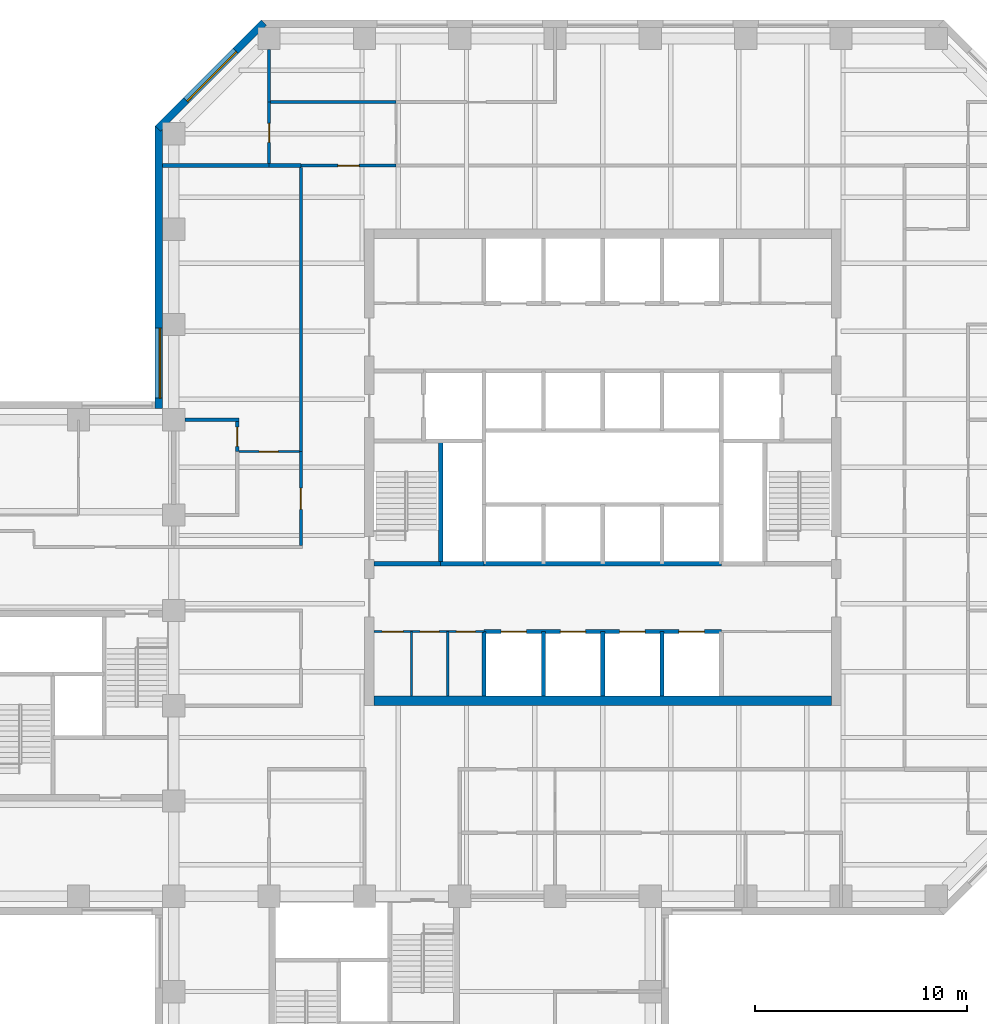
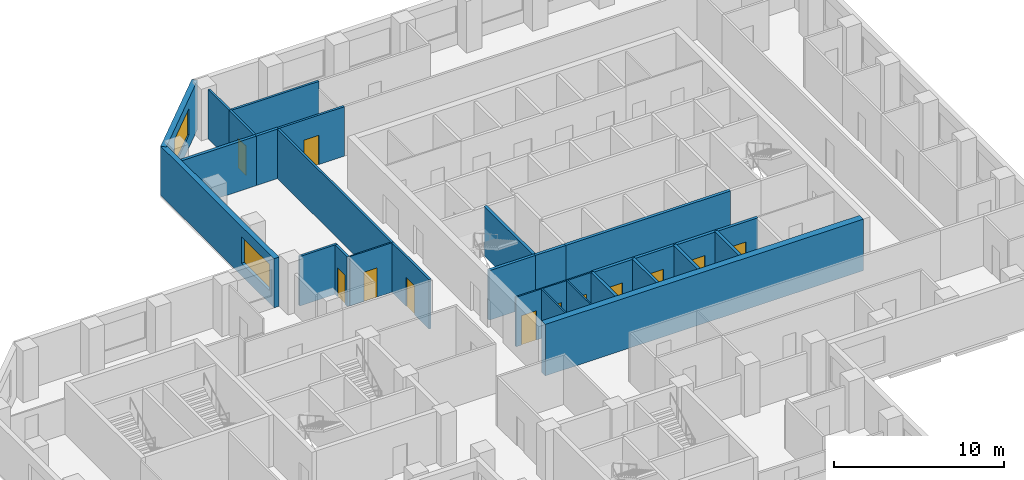
# One storey, part 6 of 11: 26 walls, 12 doors, 2 windows, 14 openings.
"""IFC4 building model written with IfcOpenShell, lengths in metres."""

from ifc_helpers import new_model, si_unit, direction, frame, frame_2d, origin, place, context, subcontext, project, spatial, rectangle, extrude, material, layer, layer_set, constituent, constituent_set, type_object, element, fill, save


model = new_model("IFC4")

# Units and contexts
model_context = context("Model", 3, precision=1e-05, world=origin(), true_north=direction((0.0, 1.0)))
body_context = subcontext(model_context, "Body", "Model", "MODEL_VIEW")
ifc_project = project(units=[si_unit("LENGTHUNIT", "METRE"), si_unit("AREAUNIT", "SQUARE_METRE"), si_unit("VOLUMEUNIT", "CUBIC_METRE"), si_unit("PLANEANGLEUNIT", "RADIAN"), si_unit("MASSUNIT", "GRAM", prefix="KILO")], contexts=[model_context])

# Site, building, storey
site_placement = place(None, origin())
site = spatial("IfcSite", under=ifc_project, at=site_placement, CompositionType="ELEMENT")
building_placement = place(site_placement, origin())
building = spatial("IfcBuilding", under=site, at=building_placement, Name="Quoin Convention Tower", CompositionType="ELEMENT")
storey_placement = place(building_placement, frame((0.0, 0.0, 101.10009765625)))
storey = spatial("IfcBuildingStorey", under=building, at=storey_placement, Name="L26", CompositionType="ELEMENT", Elevation=101.10009765625)

# Walls
ifc_material_1 = material(Name="Plasterboard")
ifc_layer_1 = layer(ifc_material_1, 0.012451171875, Name="Finish")
ifc_material_2 = material(Name="Steel stud framing", Category="steel")
ifc_layer_2 = layer(ifc_material_2, 0.125, Name="Structure")
ifc_layer_3 = layer(ifc_material_1, 0.012451171875, Name="Finish")
ifc_layer_set_1 = layer_set([ifc_layer_1, ifc_layer_2, ifc_layer_3], Name="Steel stud framing")
wall_type_1 = type_object("IfcWallType", Name="Acoustic partition 150", PredefinedType="PARTITIONING", material=ifc_layer_set_1)
wall_1_placement = place(storey_placement, frame((36.52490234375, 63.0, 0.0), z_axis=(0.0, 0.0, 1.0), x_axis=(1.0, 0.0, 0.0)))
element("IfcWall", 1, at=wall_1_placement, inside=storey, type_object=wall_type_1, Name="pw-L26-037", PredefinedType="PARTITIONING", context=body_context, shape_type="SweptSolid", body=[
    extrude(rectangle(XDim=2.550048828125, YDim=0.14990234375, at=frame_2d((1.27490234375, 0.0))), origin(), (0.0, 0.0, 1.0), 3.5498046875),
])
wall_2_placement = place(storey_placement, frame((40.574951171875, 78.0, 0.0), z_axis=(0.0, 0.0, 1.0), x_axis=(1.0, 0.0, 0.0)))
element("IfcWall", 2, at=wall_2_placement, inside=storey, type_object=wall_type_1, Name="pw-L26-047", PredefinedType="PARTITIONING", context=body_context, shape_type="SweptSolid", body=[
    extrude(rectangle(XDim=5.925048828125, YDim=0.14990234375, at=frame_2d((2.96240234375, 0.0))), origin(), (0.0, 0.0, 1.0), 3.5498046875),
])

# Wall, opening, door
wall_3_placement = place(storey_placement, frame((39.0, 61.5, 0.0), z_axis=(0.0, 0.0, 1.0), x_axis=(0.0, 1.0, 0.0)))
wall_3 = element("IfcWall", 3, at=wall_3_placement, inside=storey, type_object=wall_type_1, Name="pw-L26-084", PredefinedType="PARTITIONING", context=body_context, shape_type="SweptSolid", body=[
    extrude(rectangle(XDim=1.425048828125, YDim=0.14990234375, at=frame_2d((0.71240234375, 0.0))), origin(), (0.0, 0.0, 1.0), 3.5498046875),
])
opening_1_placement = place(wall_3_placement, frame((0.25, 0.0, 0.0)))
opening_1 = element("IfcOpeningElement", 4, at=opening_1_placement, cuts=wall_3, Name="Opening DOL4-27", PredefinedType="OPENING", context=body_context, shape_type="SweptSolid", body=[
    extrude(rectangle(XDim=0.89990234375, YDim=2.10009765625, at=frame_2d((0.449951171875, 1.050048828125))), frame((0.0, 0.0849609375, 0.0), z_axis=(0.0, -1.0, 0.0), x_axis=(1.0, 0.0, 0.0)), (0.0, 0.0, 1.0), 0.169921875),
])
ifc_material_3 = material(Name="Steel door leaf", Category="steel")
door_type_1 = type_object("IfcDoorType", Name="Office door 900 x 2100", OperationType="SINGLE_SWING_RIGHT", PredefinedType="DOOR", material=ifc_material_3)
door_1_placement = place(opening_1_placement, frame((0.89990234375, 0.0, 0.0), z_axis=(0.0, 0.0, 1.0), x_axis=(-1.0, 0.0, 0.0)))
door_1 = element("IfcDoor", 5, at=door_1_placement, inside=storey, type_object=door_type_1, Name="dr-L26-36", OperationType="SINGLE_SWING_RIGHT", OverallHeight=2.10009765625, OverallWidth=0.89990234375, PredefinedType="DOOR", context=body_context, shape_type="SweptSolid", body=[
    extrude(rectangle(XDim=0.89990234375, YDim=2.10009765625, at=frame_2d((0.449951171875, 1.050048828125))), frame((0.0, 0.02490234375, 0.0), z_axis=(0.0, -1.0, 0.0), x_axis=(1.0, 0.0, 0.0)), (0.0, 0.0, 1.0), 0.050048828125),
])
fill(opening_1, door_1)

wall_4_placement = place(storey_placement, frame((40.5, 75.10009765625, 0.0), z_axis=(0.0, 0.0, 1.0), x_axis=(0.0, 1.0, 0.0)))
wall_4 = element("IfcWall", 6, at=wall_4_placement, inside=storey, type_object=wall_type_1, Name="pw-L26-091", PredefinedType="PARTITIONING", context=body_context, shape_type="SweptSolid", body=[
    extrude(rectangle(XDim=2.89990234375, YDim=0.14990234375, at=frame_2d((1.449951171875, 0.0))), origin(), (0.0, 0.0, 1.0), 3.5498046875),
])
opening_2_placement = place(wall_4_placement, frame((1.0, 0.0, 0.0)))
opening_2 = element("IfcOpeningElement", 7, at=opening_2_placement, cuts=wall_4, Name="Opening DOL4-30", PredefinedType="OPENING", context=body_context, shape_type="SweptSolid", body=[
    extrude(rectangle(XDim=0.89990234375, YDim=2.10009765625, at=frame_2d((0.449951171875, 1.050048828125))), frame((0.0, 0.0849609375, 0.0), z_axis=(0.0, -1.0, 0.0), x_axis=(1.0, 0.0, 0.0)), (0.0, 0.0, 1.0), 0.169921875),
])
door_2_placement = place(opening_2_placement, origin())
door_2 = element("IfcDoor", 8, at=door_2_placement, inside=storey, type_object=door_type_1, Name="dr-L26-32", OperationType="SINGLE_SWING_RIGHT", OverallHeight=2.10009765625, OverallWidth=0.89990234375, PredefinedType="DOOR", context=body_context, shape_type="SweptSolid", body=[
    extrude(rectangle(XDim=0.89990234375, YDim=2.10009765625, at=frame_2d((0.449951171875, 1.050048828125))), frame((0.0, 0.02490234375, 0.0), z_axis=(0.0, -1.0, 0.0), x_axis=(1.0, 0.0, 0.0)), (0.0, 0.0, 1.0), 0.050048828125),
])
fill(opening_2, door_2)

# Wall
wall_5_placement = place(storey_placement, frame((40.5, 78.0, 0.0), z_axis=(0.0, 0.0, 1.0), x_axis=(0.0, 1.0, 0.0)))
element("IfcWall", 9, at=wall_5_placement, inside=storey, type_object=wall_type_1, Name="pw-L26-092", PredefinedType="PARTITIONING", context=body_context, shape_type="SweptSolid", body=[
    extrude(rectangle(XDim=2.47509765625, YDim=0.14990234375, at=frame_2d((1.237548828125, 0.0))), origin(), (0.0, 0.0, 1.0), 3.5498046875),
])

# Wall, opening, window
ifc_material_4 = material(Name="Brick masonry", Category="masonry")
ifc_layer_4 = layer(ifc_material_4, 0.35009765625)
ifc_layer_set_2 = layer_set([ifc_layer_4], Name="Brick masonry")
wall_type_2 = type_object("IfcWallType", Name="Brick facade wall", PredefinedType="STANDARD", material=ifc_layer_set_2)
wall_6_placement = place(storey_placement, frame((40.26123046875, 81.751220703125, 0.0), z_axis=(0.0, 0.0, 1.0), x_axis=(-0.707106781187, -0.707106781187, 0.0)))
wall_6 = element("IfcWall", 10, at=wall_6_placement, inside=storey, type_object=wall_type_2, Name="fw-L26-40500_81000", PredefinedType="STANDARD", context=body_context, shape_type="SweptSolid", body=[
    extrude(rectangle(XDim=7.088623046875, YDim=0.35009765625, at=frame_2d((3.54443359375, 0.0))), origin(), (0.0, 0.0, 1.0), 3.52490234375),
])
opening_3_placement = place(wall_6_placement, frame((1.894287109375, 0.0, 0.89990234375)))
opening_3 = element("IfcOpeningElement", 11, at=opening_3_placement, cuts=wall_6, Name="Opening W-02", PredefinedType="OPENING", context=body_context, shape_type="SweptSolid", body=[
    extrude(rectangle(XDim=3.300048828125, YDim=1.89990234375, at=frame_2d((1.64990234375, 0.949951171875))), frame((0.0, 0.18505859375, 0.0), z_axis=(0.0, -1.0, 0.0), x_axis=(1.0, 0.0, 0.0)), (0.0, 0.0, 1.0), 0.3701171875),
])
ifc_material_5 = material(Name="Aluminium", Category="aluminium")
ifc_constituent_1 = constituent(ifc_material_5, Name="Frame")
ifc_material_6 = material(Name="Insulated glass", Category="glass")
ifc_constituent_2 = constituent(ifc_material_6, Name="Glazing")
ifc_constituent_set = constituent_set(constituents=[ifc_constituent_1, ifc_constituent_2], Name="Aluminium")
window_type = type_object("IfcWindowType", Name="Office window", PartitioningType="DOUBLE_PANEL_VERTICAL", PredefinedType="WINDOW", material=ifc_constituent_set)
window_1_placement = place(opening_3_placement, origin())
window_1 = element("IfcWindow", 12, at=window_1_placement, inside=storey, type_object=window_type, Name="win-L26-37755_79245", OverallHeight=1.89990234375, OverallWidth=3.300048828125, PartitioningType="SINGLE_PANEL", PredefinedType="WINDOW", context=body_context, shape_type="SweptSolid", body=[
    extrude(rectangle(XDim=3.300048828125, YDim=1.89990234375, at=frame_2d((1.64990234375, 0.949951171875))), frame((0.0, 0.0849609375, 0.0), z_axis=(0.0, -1.0, 0.0), x_axis=(1.0, 0.0, 0.0)), (0.0, 0.0, 1.0), 0.06005859375),
])
fill(opening_3, window_1)

wall_7_placement = place(storey_placement, frame((35.300048828125, 76.8623046875, 0.0), z_axis=(0.0, 0.0, 1.0), x_axis=(0.0, -1.0, 0.0)))
wall_7 = element("IfcWall", 13, at=wall_7_placement, inside=storey, type_object=wall_type_2, Name="fw-L26-36000_76500", PredefinedType="STANDARD", context=body_context, shape_type="SweptSolid", body=[
    extrude(rectangle(XDim=13.33740234375, YDim=0.35009765625, at=frame_2d((6.668701171875, 0.0))), origin(), (0.0, 0.0, 1.0), 3.52490234375),
])
opening_4_placement = place(wall_7_placement, frame((9.537353515625, 0.0, 0.89990234375)))
opening_4 = element("IfcOpeningElement", 14, at=opening_4_placement, cuts=wall_7, Name="Opening W-02", PredefinedType="OPENING", context=body_context, shape_type="SweptSolid", body=[
    extrude(rectangle(XDim=3.300048828125, YDim=1.89990234375, at=frame_2d((1.64990234375, 0.949951171875))), frame((0.0, 0.18505859375, 0.0), z_axis=(0.0, -1.0, 0.0), x_axis=(1.0, 0.0, 0.0)), (0.0, 0.0, 1.0), 0.3701171875),
])
window_2_placement = place(opening_4_placement, origin())
window_2 = element("IfcWindow", 15, at=window_2_placement, inside=storey, type_object=window_type, Name="win-L26-35300_65250", OverallHeight=1.89990234375, OverallWidth=3.300048828125, PartitioningType="SINGLE_PANEL", PredefinedType="WINDOW", context=body_context, shape_type="SweptSolid", body=[
    extrude(rectangle(XDim=3.300048828125, YDim=1.89990234375, at=frame_2d((1.64990234375, 0.949951171875))), frame((0.0, 0.0849609375, 0.0), z_axis=(0.0, -1.0, 0.0), x_axis=(1.0, 0.0, 0.0)), (0.0, 0.0, 1.0), 0.06005859375),
])
fill(opening_4, window_2)

# Wall, openings, doors
ifc_layer_5 = layer(ifc_material_1, 0.012451171875, Name="Finish")
ifc_layer_6 = layer(ifc_material_2, 0.074951171875, Name="Structure")
ifc_layer_7 = layer(ifc_material_1, 0.012451171875, Name="Finish")
ifc_layer_set_3 = layer_set([ifc_layer_5, ifc_layer_6, ifc_layer_7], Name="Steel stud framing")
wall_type_3 = type_object("IfcWallType", Name="Core partition wall", PredefinedType="PARTITIONING", material=ifc_layer_set_3)
wall_8_placement = place(storey_placement, frame((45.449951171875, 53.0, 0.0), z_axis=(0.0, 0.0, 1.0), x_axis=(1.0, 0.0, 0.0)))
wall_8 = element("IfcWall", 16, at=wall_8_placement, inside=storey, type_object=wall_type_3, Name="cr-C1-L26-h3500_450", PredefinedType="PARTITIONING", context=body_context, shape_type="SweptSolid", body=[
    extrude(rectangle(XDim=5.199951171875, YDim=0.10009765625, at=frame_2d((2.60009765625, 0.0))), origin(), (0.0, 0.0, 1.0), 3.5498046875),
])
opening_5_placement = place(wall_8_placement, frame((0.384033203125, 0.0, 0.0)))
opening_5 = element("IfcOpeningElement", 17, at=opening_5_placement, cuts=wall_8, Name="Opening DCV3-31", PredefinedType="OPENING", context=body_context, shape_type="SweptSolid", body=[
    extrude(rectangle(XDim=1.0, YDim=2.10009765625, at=frame_2d((0.5, 1.050048828125))), frame((0.0, 0.06005859375, 0.0), z_axis=(0.0, -1.0, 0.0), x_axis=(1.0, 0.0, 0.0)), (0.0, 0.0, 1.0), 0.1201171875),
])
opening_6_placement = place(wall_8_placement, frame((2.176025390625, 0.0, 0.0)))
opening_6 = element("IfcOpeningElement", 18, at=opening_6_placement, cuts=wall_8, Name="Opening DCV3-32", PredefinedType="OPENING", context=body_context, shape_type="SweptSolid", body=[
    extrude(rectangle(XDim=0.89990234375, YDim=2.10009765625, at=frame_2d((0.449951171875, 1.050048828125))), frame((0.0, 0.06005859375, 0.0), z_axis=(0.0, -1.0, 0.0), x_axis=(1.0, 0.0, 0.0)), (0.0, 0.0, 1.0), 0.1201171875),
])
opening_7_placement = place(wall_8_placement, frame((3.89208984375, 0.0, 0.0)))
opening_7 = element("IfcOpeningElement", 19, at=opening_7_placement, cuts=wall_8, Name="Opening DCV3-33", PredefinedType="OPENING", context=body_context, shape_type="SweptSolid", body=[
    extrude(rectangle(XDim=0.89990234375, YDim=2.10009765625, at=frame_2d((0.449951171875, 1.050048828125))), frame((0.0, 0.06005859375, 0.0), z_axis=(0.0, -1.0, 0.0), x_axis=(1.0, 0.0, 0.0)), (0.0, 0.0, 1.0), 0.1201171875),
])
door_type_2 = type_object("IfcDoorType", Name="Core room door 1000 x 2100", OperationType="SINGLE_SWING_LEFT", PredefinedType="DOOR", material=ifc_material_3)
door_3_placement = place(opening_5_placement, frame((1.0, 0.0, 0.0), z_axis=(0.0, 0.0, 1.0), x_axis=(-1.0, 0.0, 0.0)))
door_3 = element("IfcDoor", 20, at=door_3_placement, inside=storey, type_object=door_type_2, Name="cd-C1-L26-CSW0-lobA-CD2612", OperationType="SINGLE_SWING_LEFT", OverallHeight=2.10009765625, OverallWidth=1.0, PredefinedType="DOOR", context=body_context, shape_type="SweptSolid", body=[
    extrude(rectangle(XDim=1.0, YDim=2.10009765625, at=frame_2d((0.5, 1.050048828125))), frame((0.0, 0.02490234375, 0.0), z_axis=(0.0, -1.0, 0.0), x_axis=(1.0, 0.0, 0.0)), (0.0, 0.0, 1.0), 0.050048828125),
])
fill(opening_5, door_3)
door_type_3 = type_object("IfcDoorType", Name="Core room door 900 x 2100", OperationType="SINGLE_SWING_LEFT", PredefinedType="DOOR", material=ifc_material_3)
door_4_placement = place(opening_6_placement, frame((0.89990234375, 0.0, 0.0), z_axis=(0.0, 0.0, 1.0), x_axis=(-1.0, 0.0, 0.0)))
door_4 = element("IfcDoor", 21, at=door_4_placement, inside=storey, type_object=door_type_3, Name="cd-C1-L26-CSW1-lobA-CD2613", OperationType="SINGLE_SWING_LEFT", OverallHeight=2.10009765625, OverallWidth=0.89990234375, PredefinedType="DOOR", context=body_context, shape_type="SweptSolid", body=[
    extrude(rectangle(XDim=0.89990234375, YDim=2.10009765625, at=frame_2d((0.449951171875, 1.050048828125))), frame((0.0, 0.02490234375, 0.0), z_axis=(0.0, -1.0, 0.0), x_axis=(1.0, 0.0, 0.0)), (0.0, 0.0, 1.0), 0.050048828125),
])
fill(opening_6, door_4)
door_5_placement = place(opening_7_placement, frame((0.89990234375, 0.0, 0.0), z_axis=(0.0, 0.0, 1.0), x_axis=(-1.0, 0.0, 0.0)))
door_5 = element("IfcDoor", 22, at=door_5_placement, inside=storey, type_object=door_type_3, Name="cd-C1-L26-CSW2-lobA-CD2614", OperationType="SINGLE_SWING_LEFT", OverallHeight=2.10009765625, OverallWidth=0.89990234375, PredefinedType="DOOR", context=body_context, shape_type="SweptSolid", body=[
    extrude(rectangle(XDim=0.89990234375, YDim=2.10009765625, at=frame_2d((0.449951171875, 1.050048828125))), frame((0.0, 0.02490234375, 0.0), z_axis=(0.0, -1.0, 0.0), x_axis=(1.0, 0.0, 0.0)), (0.0, 0.0, 1.0), 0.050048828125),
])
fill(opening_7, door_5)

# Walls
for number, where, z_axis, x_axis, name in (
    (23, (47.218017578125, 49.949951171875, 0.0), (0.0, 0.0, 1.0), (0.0, 1.0, 0.0), "cr-C1-L26-v2218_450"),
    (24, (48.93408203125, 49.949951171875, 0.0), (0.0, 0.0, 1.0), (0.0, 1.0, 0.0), "cr-C1-L26-v3934_450"),
):
    element("IfcWall", number, at=place(storey_placement, frame(where, z_axis=z_axis, x_axis=x_axis)), inside=storey, type_object=wall_type_3, Name=name, PredefinedType="PARTITIONING", context=body_context, shape_type="SweptSolid", body=[
        extrude(rectangle(XDim=3.050048828125, YDim=0.10009765625, at=frame_2d((1.52490234375, 0.0))), origin(), (0.0, 0.0, 1.0), 3.5498046875),
    ])

# Wall, openings, doors
ifc_material_7 = material(Name="Concrete C50", Category="concrete")
ifc_layer_8 = layer(ifc_material_7, 0.199951171875)
ifc_layer_set_4 = layer_set([ifc_layer_8], Name="Concrete C50")
wall_type_4 = type_object("IfcWallType", Name="Core shaft wall", PredefinedType="SOLIDWALL", material=ifc_layer_set_4)
wall_9_placement = place(storey_placement, frame((50.64990234375, 53.0, 0.0), z_axis=(0.0, 0.0, 1.0), x_axis=(1.0, 0.0, 0.0)))
wall_9 = element("IfcWall", 25, at=wall_9_placement, inside=storey, type_object=wall_type_4, Name="cr-C1-L26-h3500_5650", PredefinedType="SOLIDWALL", context=body_context, shape_type="SweptSolid", body=[
    extrude(rectangle(XDim=11.2001953125, YDim=0.199951171875, at=frame_2d((5.60009765625, 0.0))), origin(), (0.0, 0.0, 1.0), 3.5498046875),
])
opening_8_placement = place(wall_9_placement, frame((0.800048828125, 0.0, 0.0)))
opening_8 = element("IfcOpeningElement", 26, at=opening_8_placement, cuts=wall_9, Name="Opening LDL1", PredefinedType="OPENING", context=body_context, shape_type="SweptSolid", body=[
    extrude(rectangle(XDim=1.199951171875, YDim=2.10009765625, at=frame_2d((0.60009765625, 1.050048828125))), frame((0.0, 0.10986328125, 0.0), z_axis=(0.0, -1.0, 0.0), x_axis=(1.0, 0.0, 0.0)), (0.0, 0.0, 1.0), 0.219970703125),
])
opening_9_placement = place(wall_9_placement, frame((3.60009765625, 0.0, 0.0)))
opening_9 = element("IfcOpeningElement", 27, at=opening_9_placement, cuts=wall_9, Name="Opening LDL2", PredefinedType="OPENING", context=body_context, shape_type="SweptSolid", body=[
    extrude(rectangle(XDim=1.199951171875, YDim=2.10009765625, at=frame_2d((0.60009765625, 1.050048828125))), frame((0.0, 0.10986328125, 0.0), z_axis=(0.0, -1.0, 0.0), x_axis=(1.0, 0.0, 0.0)), (0.0, 0.0, 1.0), 0.219970703125),
])
opening_10_placement = place(wall_9_placement, frame((6.39990234375, 0.0, 0.0)))
opening_10 = element("IfcOpeningElement", 28, at=opening_10_placement, cuts=wall_9, Name="Opening LDL3", PredefinedType="OPENING", context=body_context, shape_type="SweptSolid", body=[
    extrude(rectangle(XDim=1.199951171875, YDim=2.10009765625, at=frame_2d((0.60009765625, 1.050048828125))), frame((0.0, 0.10986328125, 0.0), z_axis=(0.0, -1.0, 0.0), x_axis=(1.0, 0.0, 0.0)), (0.0, 0.0, 1.0), 0.219970703125),
])
opening_11_placement = place(wall_9_placement, frame((9.199951171875, 0.0, 0.0)))
opening_11 = element("IfcOpeningElement", 29, at=opening_11_placement, cuts=wall_9, Name="Opening LDL4", PredefinedType="OPENING", context=body_context, shape_type="SweptSolid", body=[
    extrude(rectangle(XDim=1.199951171875, YDim=2.10009765625, at=frame_2d((0.60009765625, 1.050048828125))), frame((0.0, 0.10986328125, 0.0), z_axis=(0.0, -1.0, 0.0), x_axis=(1.0, 0.0, 0.0)), (0.0, 0.0, 1.0), 0.219970703125),
])
door_type_4 = type_object("IfcDoorType", Name="Lift landing door 1200 x 2100", OperationType="DOUBLE_DOOR_SLIDING", PredefinedType="DOOR", material=ifc_material_3)
door_6_placement = place(opening_8_placement, origin())
door_6 = element("IfcDoor", 30, at=door_6_placement, inside=storey, type_object=door_type_4, Name="cd-C1-L26-R10-lobA-LDL1", OperationType="DOUBLE_DOOR_SLIDING", OverallHeight=2.10009765625, OverallWidth=1.199951171875, PredefinedType="DOOR", context=body_context, shape_type="SweptSolid", body=[
    extrude(rectangle(XDim=1.199951171875, YDim=2.10009765625, at=frame_2d((0.60009765625, 1.050048828125))), frame((0.0, 0.02490234375, 0.0), z_axis=(0.0, -1.0, 0.0), x_axis=(1.0, 0.0, 0.0)), (0.0, 0.0, 1.0), 0.050048828125),
])
fill(opening_8, door_6)
door_7_placement = place(opening_9_placement, origin())
door_7 = element("IfcDoor", 31, at=door_7_placement, inside=storey, type_object=door_type_4, Name="cd-C1-L26-R11-lobA-LDL2", OperationType="DOUBLE_DOOR_SLIDING", OverallHeight=2.10009765625, OverallWidth=1.199951171875, PredefinedType="DOOR", context=body_context, shape_type="SweptSolid", body=[
    extrude(rectangle(XDim=1.199951171875, YDim=2.10009765625, at=frame_2d((0.60009765625, 1.050048828125))), frame((0.0, 0.02490234375, 0.0), z_axis=(0.0, -1.0, 0.0), x_axis=(1.0, 0.0, 0.0)), (0.0, 0.0, 1.0), 0.050048828125),
])
fill(opening_9, door_7)
door_8_placement = place(opening_10_placement, origin())
door_8 = element("IfcDoor", 32, at=door_8_placement, inside=storey, type_object=door_type_4, Name="cd-C1-L26-R12-lobA-LDL3", OperationType="DOUBLE_DOOR_SLIDING", OverallHeight=2.10009765625, OverallWidth=1.199951171875, PredefinedType="DOOR", context=body_context, shape_type="SweptSolid", body=[
    extrude(rectangle(XDim=1.199951171875, YDim=2.10009765625, at=frame_2d((0.60009765625, 1.050048828125))), frame((0.0, 0.02490234375, 0.0), z_axis=(0.0, -1.0, 0.0), x_axis=(1.0, 0.0, 0.0)), (0.0, 0.0, 1.0), 0.050048828125),
])
fill(opening_10, door_8)
door_9_placement = place(opening_11_placement, origin())
door_9 = element("IfcDoor", 33, at=door_9_placement, inside=storey, type_object=door_type_4, Name="cd-C1-L26-R13-lobA-LDL4", OperationType="DOUBLE_DOOR_SLIDING", OverallHeight=2.10009765625, OverallWidth=1.199951171875, PredefinedType="DOOR", context=body_context, shape_type="SweptSolid", body=[
    extrude(rectangle(XDim=1.199951171875, YDim=2.10009765625, at=frame_2d((0.60009765625, 1.050048828125))), frame((0.0, 0.02490234375, 0.0), z_axis=(0.0, -1.0, 0.0), x_axis=(1.0, 0.0, 0.0)), (0.0, 0.0, 1.0), 0.050048828125),
])
fill(opening_11, door_9)

# Walls
wall_10_placement = place(storey_placement, frame((48.60009765625, 56.199951171875, 0.0), z_axis=(0.0, 0.0, 1.0), x_axis=(1.0, 0.0, 0.0)))
element("IfcWall", 34, at=wall_10_placement, inside=storey, type_object=wall_type_4, Name="cr-C1-L26-h6700_3600", PredefinedType="SOLIDWALL", context=body_context, shape_type="SweptSolid", body=[
    extrude(rectangle(XDim=2.0498046875, YDim=0.199951171875, at=frame_2d((1.02490234375, 0.0))), origin(), (0.0, 0.0, 1.0), 3.5498046875),
])
wall_11_placement = place(storey_placement, frame((45.449951171875, 56.199951171875, 0.0), z_axis=(0.0, 0.0, 1.0), x_axis=(1.0, 0.0, 0.0)))
element("IfcWall", 35, at=wall_11_placement, inside=storey, type_object=wall_type_4, Name="cr-C1-L26-h6700_450", PredefinedType="SOLIDWALL", context=body_context, shape_type="SweptSolid", body=[
    extrude(rectangle(XDim=3.150146484375, YDim=0.199951171875, at=frame_2d((1.5751953125, 0.0))), origin(), (0.0, 0.0, 1.0), 3.5498046875),
])
wall_12_placement = place(storey_placement, frame((50.64990234375, 56.199951171875, 0.0), z_axis=(0.0, 0.0, 1.0), x_axis=(1.0, 0.0, 0.0)))
element("IfcWall", 36, at=wall_12_placement, inside=storey, type_object=wall_type_4, Name="cr-C1-L26-h6700_5650", PredefinedType="SOLIDWALL", context=body_context, shape_type="SweptSolid", body=[
    extrude(rectangle(XDim=11.2001953125, YDim=0.199951171875, at=frame_2d((5.60009765625, 0.0))), origin(), (0.0, 0.0, 1.0), 3.5498046875),
])
wall_13_placement = place(storey_placement, frame((48.60009765625, 56.199951171875, 0.0), z_axis=(0.0, 0.0, 1.0), x_axis=(0.0, 1.0, 0.0)))
element("IfcWall", 37, at=wall_13_placement, inside=storey, type_object=wall_type_4, Name="cr-C1-L26-v3600_6700", PredefinedType="SOLIDWALL", context=body_context, shape_type="SweptSolid", body=[
    extrude(rectangle(XDim=5.800048828125, YDim=0.199951171875, at=frame_2d((2.89990234375, 0.0))), origin(), (0.0, 0.0, 1.0), 3.5498046875),
])
for number, where, z_axis, x_axis, name in (
    (38, (50.64990234375, 49.949951171875, 0.0), (0.0, 0.0, 1.0), (0.0, 1.0, 0.0), "cr-C1-L26-v5650_450"),
    (39, (53.449951171875, 49.949951171875, 0.0), (0.0, 0.0, 1.0), (0.0, 1.0, 0.0), "cr-C1-L26-v8450_450"),
    (40, (56.25, 49.949951171875, 0.0), (0.0, 0.0, 1.0), (0.0, 1.0, 0.0), "cr-C1-L26-v11250_450"),
    (41, (59.050048828125, 49.949951171875, 0.0), (0.0, 0.0, 1.0), (0.0, 1.0, 0.0), "cr-C1-L26-v14050_450"),
):
    element("IfcWall", number, at=place(storey_placement, frame(where, z_axis=z_axis, x_axis=x_axis)), inside=storey, type_object=wall_type_4, Name=name, PredefinedType="SOLIDWALL", context=body_context, shape_type="SweptSolid", body=[
        extrude(rectangle(XDim=3.050048828125, YDim=0.199951171875, at=frame_2d((1.52490234375, 0.0))), origin(), (0.0, 0.0, 1.0), 3.5498046875),
    ])

# Wall, opening, door
ifc_layer_9 = layer(ifc_material_1, 0.012451171875, Name="Finish")
ifc_layer_10 = layer(ifc_material_2, 0.125, Name="Structure")
ifc_layer_11 = layer(ifc_material_1, 0.012451171875, Name="Finish")
ifc_layer_set_5 = layer_set([ifc_layer_9, ifc_layer_10, ifc_layer_11], Name="Steel stud framing")
wall_type_5 = type_object("IfcWallType", Name="Corridor wall 150", PredefinedType="PARTITIONING", material=ifc_layer_set_5)
wall_14_placement = place(storey_placement, frame((42.0, 75.0, 0.0), z_axis=(0.0, 0.0, 1.0), x_axis=(1.0, 0.0, 0.0)))
wall_14 = element("IfcWall", 42, at=wall_14_placement, inside=storey, type_object=wall_type_5, Name="pw-L26-043", PredefinedType="PARTITIONING", context=body_context, shape_type="SweptSolid", body=[
    extrude(rectangle(XDim=4.5, YDim=0.14990234375, at=frame_2d((2.25, 0.0))), origin(), (0.0, 0.0, 1.0), 3.5498046875),
])
opening_12_placement = place(wall_14_placement, frame((1.75, 0.0, 0.0)))
opening_12 = element("IfcOpeningElement", 43, at=opening_12_placement, cuts=wall_14, Name="Opening DOL4-15", PredefinedType="OPENING", context=body_context, shape_type="SweptSolid", body=[
    extrude(rectangle(XDim=1.0, YDim=2.10009765625, at=frame_2d((0.5, 1.050048828125))), frame((0.0, 0.0849609375, 0.0), z_axis=(0.0, -1.0, 0.0), x_axis=(1.0, 0.0, 0.0)), (0.0, 0.0, 1.0), 0.169921875),
])
door_type_5 = type_object("IfcDoorType", Name="Tenancy entrance door 1000 x 2100", OperationType="DOUBLE_DOOR_SINGLE_SWING", PredefinedType="DOOR", material=ifc_material_3)
door_10_placement = place(opening_12_placement, origin())
door_10 = element("IfcDoor", 44, at=door_10_placement, inside=storey, type_object=door_type_5, Name="dr-L26-29", OperationType="DOUBLE_DOOR_SINGLE_SWING", OverallHeight=2.10009765625, OverallWidth=1.0, PredefinedType="DOOR", context=body_context, shape_type="SweptSolid", body=[
    extrude(rectangle(XDim=1.0, YDim=2.10009765625, at=frame_2d((0.5, 1.050048828125))), frame((0.0, 0.02490234375, 0.0), z_axis=(0.0, -1.0, 0.0), x_axis=(1.0, 0.0, 0.0)), (0.0, 0.0, 1.0), 0.050048828125),
])
fill(opening_12, door_10)

wall_15_placement = place(storey_placement, frame((42.0, 57.074951171875, 0.0), z_axis=(0.0, 0.0, 1.0), x_axis=(0.0, 1.0, 0.0)))
wall_15 = element("IfcWall", 45, at=wall_15_placement, inside=storey, type_object=wall_type_5, Name="pw-L26-075", PredefinedType="PARTITIONING", context=body_context, shape_type="SweptSolid", body=[
    extrude(rectangle(XDim=4.425048828125, YDim=0.14990234375, at=frame_2d((2.21240234375, 0.0))), origin(), (0.0, 0.0, 1.0), 3.5498046875),
])
opening_13_placement = place(wall_15_placement, frame((1.699951171875, 0.0, 0.0)))
opening_13 = element("IfcOpeningElement", 46, at=opening_13_placement, cuts=wall_15, Name="Opening DOL4-25", PredefinedType="OPENING", context=body_context, shape_type="SweptSolid", body=[
    extrude(rectangle(XDim=1.0, YDim=2.10009765625, at=frame_2d((0.5, 1.050048828125))), frame((0.0, 0.0849609375, 0.0), z_axis=(0.0, -1.0, 0.0), x_axis=(1.0, 0.0, 0.0)), (0.0, 0.0, 1.0), 0.169921875),
])
door_11_placement = place(opening_13_placement, origin())
door_11 = element("IfcDoor", 47, at=door_11_placement, inside=storey, type_object=door_type_5, Name="dr-L26-34", OperationType="DOUBLE_DOOR_SINGLE_SWING", OverallHeight=2.10009765625, OverallWidth=1.0, PredefinedType="DOOR", context=body_context, shape_type="SweptSolid", body=[
    extrude(rectangle(XDim=1.0, YDim=2.10009765625, at=frame_2d((0.5, 1.050048828125))), frame((0.0, 0.02490234375, 0.0), z_axis=(0.0, -1.0, 0.0), x_axis=(1.0, 0.0, 0.0)), (0.0, 0.0, 1.0), 0.050048828125),
])
fill(opening_13, door_11)

# Walls
wall_16_placement = place(storey_placement, frame((42.0, 61.5, 0.0), z_axis=(0.0, 0.0, 1.0), x_axis=(0.0, 1.0, 0.0)))
element("IfcWall", 48, at=wall_16_placement, inside=storey, type_object=wall_type_5, Name="pw-L26-085", PredefinedType="PARTITIONING", context=body_context, shape_type="SweptSolid", body=[
    extrude(rectangle(XDim=13.39990234375, YDim=0.14990234375, at=frame_2d((6.699951171875, 0.0))), origin(), (0.0, 0.0, 1.0), 3.5498046875),
])
ifc_material_8 = material(Name="Concrete C65", Category="concrete")
ifc_layer_12 = layer(ifc_material_8, 0.449951171875)
ifc_layer_set_6 = layer_set([ifc_layer_12], Name="Concrete C65")
wall_type_6 = type_object("IfcWallType", Name="RC CORE WALL 450 C65", PredefinedType="SHEAR", material=ifc_layer_set_6)
wall_17_placement = place(storey_placement, frame((45.449951171875, 49.72509765625, 0.0), z_axis=(0.0, 0.0, 1.0), x_axis=(1.0, 0.0, 0.0)))
element("IfcWall", 49, at=wall_17_placement, inside=storey, type_object=wall_type_6, Name="cwl-C1-L26-S", PredefinedType="SHEAR", context=body_context, shape_type="SweptSolid", body=[
    extrude(rectangle(XDim=21.60009765625, YDim=0.449951171875, at=frame_2d((10.800048828125, 0.0))), origin(), (0.0, 0.0, 1.0), 3.699951171875),
])

# Wall, opening, door
ifc_layer_13 = layer(ifc_material_1, 0.012451171875, Name="Finish")
ifc_layer_14 = layer(ifc_material_2, 0.074951171875, Name="Structure")
ifc_layer_15 = layer(ifc_material_1, 0.012451171875, Name="Finish")
ifc_layer_set_7 = layer_set([ifc_layer_13, ifc_layer_14, ifc_layer_15], Name="Steel stud framing")
wall_type_7 = type_object("IfcWallType", Name="Stud partition 100", PredefinedType="PARTITIONING", material=ifc_layer_set_7)
wall_18_placement = place(storey_placement, frame((39.074951171875, 61.5, 0.0), z_axis=(0.0, 0.0, 1.0), x_axis=(1.0, 0.0, 0.0)))
wall_18 = element("IfcWall", 50, at=wall_18_placement, inside=storey, type_object=wall_type_7, Name="pw-L26-036", PredefinedType="PARTITIONING", context=body_context, shape_type="SweptSolid", body=[
    extrude(rectangle(XDim=2.85009765625, YDim=0.10009765625, at=frame_2d((1.425048828125, 0.0))), origin(), (0.0, 0.0, 1.0), 3.5498046875),
])
opening_14_placement = place(wall_18_placement, frame((0.949951171875, 0.0, 0.0)))
opening_14 = element("IfcOpeningElement", 51, at=opening_14_placement, cuts=wall_18, Name="Opening DOL4-12", PredefinedType="OPENING", context=body_context, shape_type="SweptSolid", body=[
    extrude(rectangle(XDim=0.89990234375, YDim=2.10009765625, at=frame_2d((0.449951171875, 1.050048828125))), frame((0.0, 0.06005859375, 0.0), z_axis=(0.0, -1.0, 0.0), x_axis=(1.0, 0.0, 0.0)), (0.0, 0.0, 1.0), 0.1201171875),
])
door_12_placement = place(opening_14_placement, origin())
door_12 = element("IfcDoor", 52, at=door_12_placement, inside=storey, type_object=door_type_1, Name="dr-L26-35", OperationType="SINGLE_SWING_RIGHT", OverallHeight=2.10009765625, OverallWidth=0.89990234375, PredefinedType="DOOR", context=body_context, shape_type="SweptSolid", body=[
    extrude(rectangle(XDim=0.89990234375, YDim=2.10009765625, at=frame_2d((0.449951171875, 1.050048828125))), frame((0.0, 0.02490234375, 0.0), z_axis=(0.0, -1.0, 0.0), x_axis=(1.0, 0.0, 0.0)), (0.0, 0.0, 1.0), 0.050048828125),
])
fill(opening_14, door_12)

# Walls
ifc_layer_16 = layer(ifc_material_1, 0.012451171875, Name="Finish")
ifc_layer_17 = layer(ifc_material_2, 0.175048828125, Name="Structure")
ifc_layer_18 = layer(ifc_material_1, 0.012451171875, Name="Finish")
ifc_layer_set_8 = layer_set([ifc_layer_16, ifc_layer_17, ifc_layer_18], Name="Steel stud framing")
wall_type_8 = type_object("IfcWallType", Name="Tenancy demising wall 200", PredefinedType="PARTITIONING", material=ifc_layer_set_8)
wall_19_placement = place(storey_placement, frame((35.47509765625, 75.0, 0.0), z_axis=(0.0, 0.0, 1.0), x_axis=(1.0, 0.0, 0.0)))
element("IfcWall", 53, at=wall_19_placement, inside=storey, type_object=wall_type_8, Name="pw-L26-041", PredefinedType="PARTITIONING", context=body_context, shape_type="SweptSolid", body=[
    extrude(rectangle(XDim=5.02490234375, YDim=0.199951171875, at=frame_2d((2.512451171875, 0.0))), origin(), (0.0, 0.0, 1.0), 3.5498046875),
])
wall_20_placement = place(storey_placement, frame((40.5, 75.0, 0.0), z_axis=(0.0, 0.0, 1.0), x_axis=(1.0, 0.0, 0.0)))
element("IfcWall", 54, at=wall_20_placement, inside=storey, type_object=wall_type_8, Name="pw-L26-042", PredefinedType="PARTITIONING", context=body_context, shape_type="SweptSolid", body=[
    extrude(rectangle(XDim=1.5, YDim=0.199951171875, at=frame_2d((0.75, 0.0))), origin(), (0.0, 0.0, 1.0), 3.5498046875),
])

save(model, "model.ifc")
